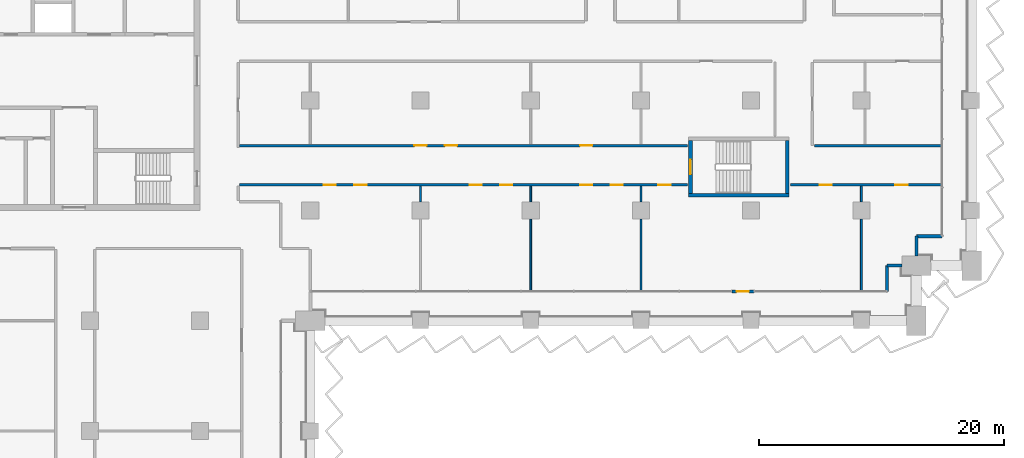
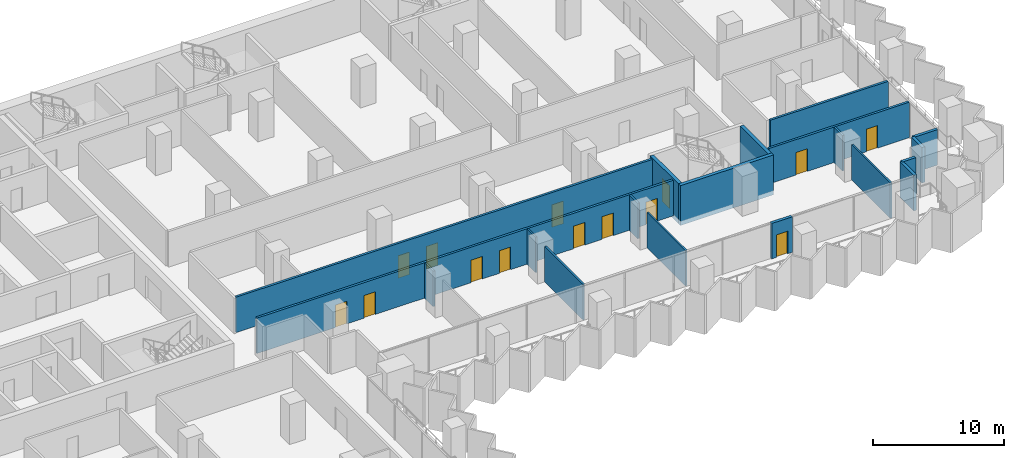
# One storey, part 13 of 28: 19 walls, 14 doors, 14 openings.
"""IFC4 building model written with IfcOpenShell, lengths in metres."""

import ifcopenshell
import ifcopenshell.guid

model = None  # the IFC model being written
_history = None  # IfcOwnerHistory: only IFC2X3 demands one
_inside = {}  # id of a spatial element -> (the spatial element, [elements in it])
_under = {}  # id of a project, library or spatial element -> (it, [spatial elements below it])
_declared = {}  # id of a project -> (the project, [libraries it declares])
_typed = {}  # id of a type object -> (the type object, [elements of that type])
_made_of = {}  # id of a material, layer set ... -> (it, [elements and type objects made of it])


def new_model(schema):
    """Start an empty IFC model of exactly this schema.

    Asked for "IFC4X3", IfcOpenShell would pick the latest addendum, in which some entities
    have other attributes; the version numbers below select the first issue.
    IFC2X3 requires an IfcOwnerHistory on every rooted entity: one is made here for all.
    """
    global model, _history
    if schema == "IFC4X3":
        model = ifcopenshell.file(schema_version=(4, 3, 0, 0))
    else:
        model = ifcopenshell.file(schema=schema)
    _inside.clear()
    _under.clear()
    _declared.clear()
    _typed.clear()
    _made_of.clear()
    _history = None
    if model.schema == "IFC2X3":
        org = make("IfcOrganization", Name="unknown")
        user = make(
            "IfcPersonAndOrganization",
            ThePerson=make("IfcPerson", FamilyName="unknown"),
            TheOrganization=org,
        )
        app = make(
            "IfcApplication",
            ApplicationDeveloper=org,
            Version="unknown",
            ApplicationFullName="unknown",
            ApplicationIdentifier="unknown",
        )
        _history = make(
            "IfcOwnerHistory",
            OwningUser=user,
            OwningApplication=app,
            ChangeAction="ADDED",
            CreationDate=0,
        )
    return model


def make(cls, **values):
    """One entity of the class cls with the attributes given. An attribute that is None is left unset."""
    return model.create_entity(
        cls, **{name: value for name, value in values.items() if value is not None}
    )


def rooted(cls, **values):
    """An entity with a GlobalId (a new one), such as an element, a storey or a relation."""
    return make(cls, GlobalId=ifcopenshell.guid.new(), OwnerHistory=_history, **values)


def si_unit(unit_type, name, prefix=None):
    """IfcSIUnit, for example si_unit("LENGTHUNIT", "METRE", prefix="MILLI")."""
    return make("IfcSIUnit", UnitType=unit_type, Prefix=prefix, Name=name)


def assignment(units):
    """IfcUnitAssignment: the units of a project."""
    return None if units is None else make("IfcUnitAssignment", Units=units)


def point(xyz):
    """IfcCartesianPoint."""
    return None if xyz is None else make("IfcCartesianPoint", Coordinates=xyz)


def direction(xyz):
    """IfcDirection."""
    return None if xyz is None else make("IfcDirection", DirectionRatios=xyz)


def frame(location, z_axis=None, x_axis=None):
    """IfcAxis2Placement3D, a coordinate frame: its origin and axes. An axis left out is left unset."""
    return make(
        "IfcAxis2Placement3D",
        Location=point(location),
        Axis=direction(z_axis),
        RefDirection=direction(x_axis),
    )


def frame_2d(location, x_axis=None):
    """IfcAxis2Placement2D, a coordinate frame in the plane: its origin and x axis."""
    return make(
        "IfcAxis2Placement2D", Location=point(location), RefDirection=direction(x_axis)
    )


def origin():
    """The frame at (0, 0, 0) with its axes left unset."""
    return frame((0.0, 0.0, 0.0))


def place(relative_to, where):
    """IfcLocalPlacement: puts the frame where relative to a parent placement (None: the world)."""
    return make(
        "IfcLocalPlacement", PlacementRelTo=relative_to, RelativePlacement=where
    )


def context(
    kind, dimensions, precision=None, world=None, true_north=None, identifier=None
):
    """IfcGeometricRepresentationContext, for example the 3D "Model" context."""
    return make(
        "IfcGeometricRepresentationContext",
        ContextIdentifier=identifier,
        ContextType=kind,
        CoordinateSpaceDimension=dimensions,
        Precision=precision,
        WorldCoordinateSystem=world,
        TrueNorth=true_north,
    )


def subcontext(parent, identifier, kind, view, scale=None):
    """IfcGeometricRepresentationSubContext, for example "Body" below "Model"."""
    return make(
        "IfcGeometricRepresentationSubContext",
        ContextIdentifier=identifier,
        ContextType=kind,
        ParentContext=parent,
        TargetScale=scale,
        TargetView=view,
    )


def project(units=None, contexts=None):
    """IfcProject with its units and contexts."""
    return rooted(
        "IfcProject",
        Name="project",
        RepresentationContexts=contexts,
        UnitsInContext=assignment(units),
    )


def spatial(cls, under=None, at=None, **own):
    """A site, building, storey or space (cls), placed at a placement, below another one or the project."""
    s = rooted(cls, ObjectPlacement=at, **own)
    if under is not None:
        _under.setdefault(under.id(), (under, []))[1].append(s)
    return s


def profile(cls, at=None, kind="AREA", **sizes):
    """A parametric profile (cls). Its sizes go by their IFC names, for example OverallWidth=200.0."""
    return make(cls, ProfileType=kind, Position=at, **sizes)


def rectangle(**sizes):
    """IfcRectangleProfileDef."""
    return profile("IfcRectangleProfileDef", **sizes)


def extrude(swept, where, along, depth):
    """IfcExtrudedAreaSolid: the profile swept, set in the frame where, extruded along a direction by depth."""
    return make(
        "IfcExtrudedAreaSolid",
        SweptArea=swept,
        Position=where,
        ExtrudedDirection=direction(along),
        Depth=depth,
    )


def shape(context_of_items, identifier, shape_type, items):
    """IfcShapeRepresentation: the items that make up one representation, for example the "Body"."""
    return make(
        "IfcShapeRepresentation",
        ContextOfItems=context_of_items,
        RepresentationIdentifier=identifier,
        RepresentationType=shape_type,
        Items=items,
    )


def material(Name=None, Category=None):
    """IfcMaterial."""
    return make("IfcMaterial", Name=Name, Category=Category)


def layer(
    of_material, thickness, ventilated=None, Name=None, Category=None, Priority=None
):
    """IfcMaterialLayer: one layer of a wall or slab, of a material (None: an air gap)."""
    return make(
        "IfcMaterialLayer",
        Material=of_material,
        LayerThickness=thickness,
        IsVentilated=ventilated,
        Name=Name,
        Category=Category,
        Priority=Priority,
    )


def layer_set(layers, Name=None):
    """IfcMaterialLayerSet."""
    return make("IfcMaterialLayerSet", MaterialLayers=layers, LayerSetName=Name)


def made_of(thing, what):
    """Note that an element or type object is made of a material, layer set ...; save() writes the relation."""
    if what is not None:
        _made_of.setdefault(what.id(), (what, []))[1].append(thing)
    return thing


def type_object(cls, material=None, **own):
    """A type object (cls), such as IfcWallType, which elements share."""
    return made_of(rooted(cls, **own), material)


def element(
    cls,
    number,
    at=None,
    inside=None,
    cuts=None,
    type_object=None,
    material=None,
    context=None,
    identifier="Body",
    shape_type=None,
    held_by="IfcProductDefinitionShape",
    body=None,
    shapes=None,
    **own,
):
    """One element of the class cls, such as IfcWall. Its Tag is "e" and its number.

    at: its placement. inside: the storey or other place that contains it. cuts: it is an
    opening in that element (IfcRelVoidsElement). A single representation is given by context,
    identifier, shape_type and body (its items); several are given by shapes. held_by: the class
    of the entity that holds the representations. save() writes the other relations.
    """
    e = rooted(cls, Tag="e%d" % number, ObjectPlacement=at, **own)
    if body is not None:
        shapes = [shape(context, identifier, shape_type, body)]
    if shapes is not None:
        e.Representation = make(held_by, Representations=shapes)
    if inside is not None:
        _inside.setdefault(inside.id(), (inside, []))[1].append(e)
    if cuts is not None:
        rooted(
            "IfcRelVoidsElement", RelatingBuildingElement=cuts, RelatedOpeningElement=e
        )
    if type_object is not None:
        _typed.setdefault(type_object.id(), (type_object, []))[1].append(e)
    return made_of(e, material)


def fill(opening, filler):
    """IfcRelFillsElement: the door or window that sits in an opening."""
    return rooted(
        "IfcRelFillsElement",
        RelatingOpeningElement=opening,
        RelatedBuildingElement=filler,
    )


def aggregate(whole, parts):
    """IfcRelAggregates: a whole, such as a stair, and the parts it consists of."""
    return rooted("IfcRelAggregates", RelatingObject=whole, RelatedObjects=parts)


def save(model, path):
    """Write the relations noted so far, then the file.

    IfcRelAggregates (storeys below a building ...), IfcRelContainedInSpatialStructure (elements
    in a storey), IfcRelDefinesByType, IfcRelAssociatesMaterial and IfcRelDeclares: one each for
    every whole, place, type object, material and project.
    """
    for whole, parts in _under.values():
        aggregate(whole, parts)
    for where, things in _inside.values():
        rooted(
            "IfcRelContainedInSpatialStructure",
            RelatedElements=things,
            RelatingStructure=where,
        )
    for kind, things in _typed.values():
        rooted("IfcRelDefinesByType", RelatedObjects=things, RelatingType=kind)
    for what, things in _made_of.values():
        rooted("IfcRelAssociatesMaterial", RelatedObjects=things, RelatingMaterial=what)
    for by, libraries in _declared.values():
        rooted("IfcRelDeclares", RelatingContext=by, RelatedDefinitions=libraries)
    model.write(path)


model = new_model("IFC4")

# Units and contexts
model_context = context("Model", 3, precision=1e-05, world=origin(), true_north=direction((0.0, 1.0)))
body_context = subcontext(model_context, "Body", "Model", "MODEL_VIEW")
ifc_project = project(units=[si_unit("LENGTHUNIT", "METRE"), si_unit("AREAUNIT", "SQUARE_METRE"), si_unit("VOLUMEUNIT", "CUBIC_METRE"), si_unit("PLANEANGLEUNIT", "RADIAN"), si_unit("MASSUNIT", "GRAM", prefix="KILO")], contexts=[model_context])

# Site, building, storey
site_placement = place(None, origin())
site = spatial("IfcSite", under=ifc_project, at=site_placement, CompositionType="ELEMENT")
building_placement = place(site_placement, origin())
building = spatial("IfcBuilding", under=site, at=building_placement, Name="Hunhe Ridgeline Campus", CompositionType="ELEMENT")
storey_placement = place(building_placement, frame((0.0, 0.0, 72.800048828125)))
storey = spatial("IfcBuildingStorey", under=building, at=storey_placement, Name="L17", CompositionType="ELEMENT", Elevation=72.800048828125)

# Walls
ifc_material_1 = material(Name="Concrete C30", Category="concrete")
ifc_layer_1 = layer(ifc_material_1, 0.25)
ifc_layer_set_1 = layer_set([ifc_layer_1], Name="Corner return wall 250 Concrete C30")
wall_type_1 = type_object("IfcWallType", Name="Corner return wall 250 Concrete C30", PredefinedType="SOLIDWALL", material=ifc_layer_set_1)
wall_1_placement = place(storey_placement, frame((92.09912109375, 56.40087890625, 0.0), z_axis=(0.0, 0.0, 1.0), x_axis=(0.00011626555, 0.999999993241, 0.0)))
element("IfcWall", 1, at=wall_1_placement, inside=storey, type_object=wall_type_1, Name="Corner return wall 4", PredefinedType="SOLIDWALL", context=body_context, shape_type="SweptSolid", body=[
    extrude(rectangle(XDim=2.099853515625, YDim=0.25, at=frame_2d((1.0498046875, 0.0))), origin(), (0.0, 0.0, 1.0), 3.300048828125),
])
wall_2_placement = place(storey_placement, frame((92.099365234375, 58.500732421875, 0.0), z_axis=(0.0, 0.0, 1.0), x_axis=(1.0, 0.0, 0.0)))
element("IfcWall", 2, at=wall_2_placement, inside=storey, type_object=wall_type_1, Name="Corner return wall 5", PredefinedType="SOLIDWALL", context=body_context, shape_type="SweptSolid", body=[
    extrude(rectangle(XDim=1.20068359375, YDim=0.25, at=frame_2d((0.600341796875, 0.0))), origin(), (0.0, 0.0, 1.0), 3.300048828125),
])
wall_3_placement = place(storey_placement, frame((94.4990234375, 59.300048828125, 0.0), z_axis=(0.0, 0.0, 1.0), x_axis=(0.00015253203, 0.999999988367, 0.0)))
element("IfcWall", 3, at=wall_3_placement, inside=storey, type_object=wall_type_1, Name="Corner return wall 6", PredefinedType="SOLIDWALL", context=body_context, shape_type="SweptSolid", body=[
    extrude(rectangle(XDim=1.6005859375, YDim=0.25, at=frame_2d((0.80029296875, 0.0))), origin(), (0.0, 0.0, 1.0), 3.300048828125),
])
wall_4_placement = place(storey_placement, frame((94.499267578125, 60.900634765625, 0.0), z_axis=(0.0, 0.0, 1.0), x_axis=(0.999999993241, 0.00011626555, 0.0)))
element("IfcWall", 4, at=wall_4_placement, inside=storey, type_object=wall_type_1, Name="Corner return wall 7", PredefinedType="SOLIDWALL", context=body_context, shape_type="SweptSolid", body=[
    extrude(rectangle(XDim=2.099853515625, YDim=0.25, at=frame_2d((1.0498046875, 0.0))), origin(), (0.0, 0.0, 1.0), 3.300048828125),
])

# Wall, openings, doors
ifc_material_2 = material(Name="Gypsum board partition")
ifc_layer_2 = layer(ifc_material_2, 0.199951171875)
ifc_layer_set_2 = layer_set([ifc_layer_2], Name="Corridor partition 200 gypsum board on steel studs")
wall_type_2 = type_object("IfcWallType", Name="Corridor partition 200 gypsum board on steel studs", PredefinedType="PARTITIONING", material=ifc_layer_set_2)
wall_5_placement = place(storey_placement, frame((75.7958984375, 65.10009765625, 0.0), z_axis=(0.0, 0.0, 1.0), x_axis=(-1.0, 0.0, 0.0)))
wall_5 = element("IfcWall", 5, at=wall_5_placement, inside=storey, type_object=wall_type_2, Name="F-L17-wall-033", PredefinedType="PARTITIONING", context=body_context, shape_type="SweptSolid", body=[
    extrude(rectangle(XDim=36.595947265625, YDim=0.199951171875, at=frame_2d((18.2978515625, 0.0))), origin(), (0.0, 0.0, 1.0), 3.300048828125),
])
opening_1_placement = place(wall_5_placement, frame((28.70166015625, 0.0, 0.0)))
opening_1 = element("IfcOpeningElement", 6, at=opening_1_placement, cuts=wall_5, Name="Opening RD1-020", PredefinedType="OPENING", context=body_context, shape_type="SweptSolid", body=[
    extrude(rectangle(XDim=1.0, YDim=2.10009765625, at=frame_2d((0.5, 1.050048828125))), frame((0.0, 0.10009765625, 0.0), z_axis=(0.0, -1.0, 0.0), x_axis=(1.0, 0.0, 0.0)), (0.0, 0.0, 1.0), 0.199951171875),
])
opening_2_placement = place(wall_5_placement, frame((26.20166015625, 0.0, 0.0)))
opening_2 = element("IfcOpeningElement", 7, at=opening_2_placement, cuts=wall_5, Name="Opening RD1-021", PredefinedType="OPENING", context=body_context, shape_type="SweptSolid", body=[
    extrude(rectangle(XDim=1.0, YDim=2.10009765625, at=frame_2d((0.5, 1.050048828125))), frame((0.0, 0.10009765625, 0.0), z_axis=(0.0, -1.0, 0.0), x_axis=(1.0, 0.0, 0.0)), (0.0, 0.0, 1.0), 0.199951171875),
])
opening_3_placement = place(wall_5_placement, frame((16.79541015625, 0.0, 0.0)))
opening_3 = element("IfcOpeningElement", 8, at=opening_3_placement, cuts=wall_5, Name="Opening RD1-022", PredefinedType="OPENING", context=body_context, shape_type="SweptSolid", body=[
    extrude(rectangle(XDim=1.0, YDim=2.10009765625, at=frame_2d((0.5, 1.050048828125))), frame((0.0, 0.10009765625, 0.0), z_axis=(0.0, -1.0, 0.0), x_axis=(1.0, 0.0, 0.0)), (0.0, 0.0, 1.0), 0.199951171875),
])
opening_4_placement = place(wall_5_placement, frame((14.29541015625, 0.0, 0.0)))
opening_4 = element("IfcOpeningElement", 9, at=opening_4_placement, cuts=wall_5, Name="Opening RD1-023", PredefinedType="OPENING", context=body_context, shape_type="SweptSolid", body=[
    extrude(rectangle(XDim=1.0, YDim=2.10009765625, at=frame_2d((0.5, 1.050048828125))), frame((0.0, 0.10009765625, 0.0), z_axis=(0.0, -1.0, 0.0), x_axis=(1.0, 0.0, 0.0)), (0.0, 0.0, 1.0), 0.199951171875),
])
opening_5_placement = place(wall_5_placement, frame((7.771728515625, 0.0, 0.0)))
opening_5 = element("IfcOpeningElement", 10, at=opening_5_placement, cuts=wall_5, Name="Opening RD1-024", PredefinedType="OPENING", context=body_context, shape_type="SweptSolid", body=[
    extrude(rectangle(XDim=1.0, YDim=2.10009765625, at=frame_2d((0.5, 1.050048828125))), frame((0.0, 0.10009765625, 0.0), z_axis=(0.0, -1.0, 0.0), x_axis=(1.0, 0.0, 0.0)), (0.0, 0.0, 1.0), 0.199951171875),
])
opening_6_placement = place(wall_5_placement, frame((5.271728515625, 0.0, 0.0)))
opening_6 = element("IfcOpeningElement", 11, at=opening_6_placement, cuts=wall_5, Name="Opening RD1-025", PredefinedType="OPENING", context=body_context, shape_type="SweptSolid", body=[
    extrude(rectangle(XDim=1.0, YDim=2.10009765625, at=frame_2d((0.5, 1.050048828125))), frame((0.0, 0.10009765625, 0.0), z_axis=(0.0, -1.0, 0.0), x_axis=(1.0, 0.0, 0.0)), (0.0, 0.0, 1.0), 0.199951171875),
])
opening_7_placement = place(wall_5_placement, frame((1.3798828125, 0.0, 0.0)))
opening_7 = element("IfcOpeningElement", 12, at=opening_7_placement, cuts=wall_5, Name="Opening RD1-026", PredefinedType="OPENING", context=body_context, shape_type="SweptSolid", body=[
    extrude(rectangle(XDim=1.0, YDim=2.10009765625, at=frame_2d((0.5, 1.050048828125))), frame((0.0, 0.10009765625, 0.0), z_axis=(0.0, -1.0, 0.0), x_axis=(1.0, 0.0, 0.0)), (0.0, 0.0, 1.0), 0.199951171875),
])
ifc_material_3 = material(Name="Timber door leaf", Category="wood")
door_type_1 = type_object("IfcDoorType", Name="Single fire door 1000x2100 timber FD60", OperationType="NOTDEFINED", PredefinedType="DOOR", material=ifc_material_3)
door_1_placement = place(opening_1_placement, frame((1.0, 0.0, 0.0), z_axis=(0.0, 0.0, 1.0), x_axis=(-1.0, 0.0, 0.0)))
door_1 = element("IfcDoor", 13, at=door_1_placement, inside=storey, type_object=door_type_1, Name="F-L17-door-020", OperationType="SINGLE_SWING_RIGHT", OverallHeight=2.10009765625, OverallWidth=1.0, PredefinedType="DOOR", context=body_context, shape_type="SweptSolid", body=[
    extrude(rectangle(XDim=1.0, YDim=2.10009765625, at=frame_2d((0.5, 1.050048828125))), frame((0.0, 0.02490234375, 0.0), z_axis=(0.0, -1.0, 0.0), x_axis=(1.0, 0.0, 0.0)), (0.0, 0.0, 1.0), 0.050048828125),
])
fill(opening_1, door_1)
door_2_placement = place(opening_2_placement, frame((1.0, 0.0, 0.0), z_axis=(0.0, 0.0, 1.0), x_axis=(-1.0, 0.0, 0.0)))
door_2 = element("IfcDoor", 14, at=door_2_placement, inside=storey, type_object=door_type_1, Name="F-L17-door-021", OperationType="SINGLE_SWING_RIGHT", OverallHeight=2.10009765625, OverallWidth=1.0, PredefinedType="DOOR", context=body_context, shape_type="SweptSolid", body=[
    extrude(rectangle(XDim=1.0, YDim=2.10009765625, at=frame_2d((0.5, 1.050048828125))), frame((0.0, 0.02490234375, 0.0), z_axis=(0.0, -1.0, 0.0), x_axis=(1.0, 0.0, 0.0)), (0.0, 0.0, 1.0), 0.050048828125),
])
fill(opening_2, door_2)
door_3_placement = place(opening_3_placement, frame((1.0, 0.0, 0.0), z_axis=(0.0, 0.0, 1.0), x_axis=(-1.0, 0.0, 0.0)))
door_3 = element("IfcDoor", 15, at=door_3_placement, inside=storey, type_object=door_type_1, Name="F-L17-door-022", OperationType="SINGLE_SWING_RIGHT", OverallHeight=2.10009765625, OverallWidth=1.0, PredefinedType="DOOR", context=body_context, shape_type="SweptSolid", body=[
    extrude(rectangle(XDim=1.0, YDim=2.10009765625, at=frame_2d((0.5, 1.050048828125))), frame((0.0, 0.02490234375, 0.0), z_axis=(0.0, -1.0, 0.0), x_axis=(1.0, 0.0, 0.0)), (0.0, 0.0, 1.0), 0.050048828125),
])
fill(opening_3, door_3)
door_4_placement = place(opening_4_placement, frame((1.0, 0.0, 0.0), z_axis=(0.0, 0.0, 1.0), x_axis=(-1.0, 0.0, 0.0)))
door_4 = element("IfcDoor", 16, at=door_4_placement, inside=storey, type_object=door_type_1, Name="F-L17-door-023", OperationType="SINGLE_SWING_RIGHT", OverallHeight=2.10009765625, OverallWidth=1.0, PredefinedType="DOOR", context=body_context, shape_type="SweptSolid", body=[
    extrude(rectangle(XDim=1.0, YDim=2.10009765625, at=frame_2d((0.5, 1.050048828125))), frame((0.0, 0.02490234375, 0.0), z_axis=(0.0, -1.0, 0.0), x_axis=(1.0, 0.0, 0.0)), (0.0, 0.0, 1.0), 0.050048828125),
])
fill(opening_4, door_4)
door_5_placement = place(opening_5_placement, frame((1.0, 0.0, 0.0), z_axis=(0.0, 0.0, 1.0), x_axis=(-1.0, 0.0, 0.0)))
door_5 = element("IfcDoor", 17, at=door_5_placement, inside=storey, type_object=door_type_1, Name="F-L17-door-024", OperationType="SINGLE_SWING_RIGHT", OverallHeight=2.10009765625, OverallWidth=1.0, PredefinedType="DOOR", context=body_context, shape_type="SweptSolid", body=[
    extrude(rectangle(XDim=1.0, YDim=2.10009765625, at=frame_2d((0.5, 1.050048828125))), frame((0.0, 0.02490234375, 0.0), z_axis=(0.0, -1.0, 0.0), x_axis=(1.0, 0.0, 0.0)), (0.0, 0.0, 1.0), 0.050048828125),
])
fill(opening_5, door_5)
door_6_placement = place(opening_6_placement, frame((1.0, 0.0, 0.0), z_axis=(0.0, 0.0, 1.0), x_axis=(-1.0, 0.0, 0.0)))
door_6 = element("IfcDoor", 18, at=door_6_placement, inside=storey, type_object=door_type_1, Name="F-L17-door-025", OperationType="SINGLE_SWING_RIGHT", OverallHeight=2.10009765625, OverallWidth=1.0, PredefinedType="DOOR", context=body_context, shape_type="SweptSolid", body=[
    extrude(rectangle(XDim=1.0, YDim=2.10009765625, at=frame_2d((0.5, 1.050048828125))), frame((0.0, 0.02490234375, 0.0), z_axis=(0.0, -1.0, 0.0), x_axis=(1.0, 0.0, 0.0)), (0.0, 0.0, 1.0), 0.050048828125),
])
fill(opening_6, door_6)
door_7_placement = place(opening_7_placement, frame((1.0, 0.0, 0.0), z_axis=(0.0, 0.0, 1.0), x_axis=(-1.0, 0.0, 0.0)))
door_7 = element("IfcDoor", 19, at=door_7_placement, inside=storey, type_object=door_type_1, Name="F-L17-door-026", OperationType="SINGLE_SWING_RIGHT", OverallHeight=2.10009765625, OverallWidth=1.0, PredefinedType="DOOR", context=body_context, shape_type="SweptSolid", body=[
    extrude(rectangle(XDim=1.0, YDim=2.10009765625, at=frame_2d((0.5, 1.050048828125))), frame((0.0, 0.02490234375, 0.0), z_axis=(0.0, -1.0, 0.0), x_axis=(1.0, 0.0, 0.0)), (0.0, 0.0, 1.0), 0.050048828125),
])
fill(opening_7, door_7)

wall_6_placement = place(storey_placement, frame((96.544921875, 65.10009765625, 0.0), z_axis=(0.0, 0.0, 1.0), x_axis=(-1.0, 0.0, 0.0)))
wall_6 = element("IfcWall", 20, at=wall_6_placement, inside=storey, type_object=wall_type_2, Name="F-L17-wall-034", PredefinedType="PARTITIONING", context=body_context, shape_type="SweptSolid", body=[
    extrude(rectangle(XDim=12.3408203125, YDim=0.199951171875, at=frame_2d((6.17041015625, 0.0))), origin(), (0.0, 0.0, 1.0), 3.300048828125),
])
opening_8_placement = place(wall_6_placement, frame((8.944580078125, 0.0, 0.0)))
opening_8 = element("IfcOpeningElement", 21, at=opening_8_placement, cuts=wall_6, Name="Opening RD1-027", PredefinedType="OPENING", context=body_context, shape_type="SweptSolid", body=[
    extrude(rectangle(XDim=1.0, YDim=2.10009765625, at=frame_2d((0.5, 1.050048828125))), frame((0.0, 0.10009765625, 0.0), z_axis=(0.0, -1.0, 0.0), x_axis=(1.0, 0.0, 0.0)), (0.0, 0.0, 1.0), 0.199951171875),
])
opening_9_placement = place(wall_6_placement, frame((2.774169921875, 0.0, 0.0)))
opening_9 = element("IfcOpeningElement", 22, at=opening_9_placement, cuts=wall_6, Name="Opening RD1-028", PredefinedType="OPENING", context=body_context, shape_type="SweptSolid", body=[
    extrude(rectangle(XDim=1.0, YDim=2.10009765625, at=frame_2d((0.5, 1.050048828125))), frame((0.0, 0.10009765625, 0.0), z_axis=(0.0, -1.0, 0.0), x_axis=(1.0, 0.0, 0.0)), (0.0, 0.0, 1.0), 0.199951171875),
])
door_8_placement = place(opening_8_placement, frame((1.0, 0.0, 0.0), z_axis=(0.0, 0.0, 1.0), x_axis=(-1.0, 0.0, 0.0)))
door_8 = element("IfcDoor", 23, at=door_8_placement, inside=storey, type_object=door_type_1, Name="F-L17-door-027", OperationType="SINGLE_SWING_RIGHT", OverallHeight=2.10009765625, OverallWidth=1.0, PredefinedType="DOOR", context=body_context, shape_type="SweptSolid", body=[
    extrude(rectangle(XDim=1.0, YDim=2.10009765625, at=frame_2d((0.5, 1.050048828125))), frame((0.0, 0.02490234375, 0.0), z_axis=(0.0, -1.0, 0.0), x_axis=(1.0, 0.0, 0.0)), (0.0, 0.0, 1.0), 0.050048828125),
])
fill(opening_8, door_8)
door_9_placement = place(opening_9_placement, origin())
door_9 = element("IfcDoor", 24, at=door_9_placement, inside=storey, type_object=door_type_1, Name="F-L17-door-028", OperationType="SINGLE_SWING_RIGHT", OverallHeight=2.10009765625, OverallWidth=1.0, PredefinedType="DOOR", context=body_context, shape_type="SweptSolid", body=[
    extrude(rectangle(XDim=1.0, YDim=2.10009765625, at=frame_2d((0.5, 1.050048828125))), frame((0.0, 0.02490234375, 0.0), z_axis=(0.0, -1.0, 0.0), x_axis=(1.0, 0.0, 0.0)), (0.0, 0.0, 1.0), 0.050048828125),
])
fill(opening_9, door_9)

wall_7_placement = place(storey_placement, frame((39.199951171875, 68.300048828125, 0.0), z_axis=(0.0, 0.0, 1.0), x_axis=(1.0, 0.0, 0.0)))
wall_7 = element("IfcWall", 25, at=wall_7_placement, inside=storey, type_object=wall_type_2, Name="F-L17-wall-035", PredefinedType="PARTITIONING", context=body_context, shape_type="SweptSolid", body=[
    extrude(rectangle(XDim=36.595947265625, YDim=0.199951171875, at=frame_2d((18.2978515625, 0.0))), origin(), (0.0, 0.0, 1.0), 3.300048828125),
])
opening_10_placement = place(wall_7_placement, frame((14.288818359375, 0.0, 0.0)))
opening_10 = element("IfcOpeningElement", 26, at=opening_10_placement, cuts=wall_7, Name="Opening RD1-029", PredefinedType="OPENING", context=body_context, shape_type="SweptSolid", body=[
    extrude(rectangle(XDim=1.0, YDim=2.10009765625, at=frame_2d((0.5, 1.050048828125))), frame((0.0, 0.10009765625, 0.0), z_axis=(0.0, -1.0, 0.0), x_axis=(1.0, 0.0, 0.0)), (0.0, 0.0, 1.0), 0.199951171875),
])
opening_11_placement = place(wall_7_placement, frame((16.788818359375, 0.0, 0.0)))
opening_11 = element("IfcOpeningElement", 27, at=opening_11_placement, cuts=wall_7, Name="Opening RD1-030", PredefinedType="OPENING", context=body_context, shape_type="SweptSolid", body=[
    extrude(rectangle(XDim=1.0, YDim=2.10009765625, at=frame_2d((0.5, 1.050048828125))), frame((0.0, 0.10009765625, 0.0), z_axis=(0.0, -1.0, 0.0), x_axis=(1.0, 0.0, 0.0)), (0.0, 0.0, 1.0), 0.199951171875),
])
opening_12_placement = place(wall_7_placement, frame((27.82421875, 0.0, 0.0)))
opening_12 = element("IfcOpeningElement", 28, at=opening_12_placement, cuts=wall_7, Name="Opening RD1-031", PredefinedType="OPENING", context=body_context, shape_type="SweptSolid", body=[
    extrude(rectangle(XDim=1.0, YDim=2.10009765625, at=frame_2d((0.5, 1.050048828125))), frame((0.0, 0.10009765625, 0.0), z_axis=(0.0, -1.0, 0.0), x_axis=(1.0, 0.0, 0.0)), (0.0, 0.0, 1.0), 0.199951171875),
])
door_10_placement = place(opening_10_placement, frame((1.0, 0.0, 0.0), z_axis=(0.0, 0.0, 1.0), x_axis=(-1.0, 0.0, 0.0)))
door_10 = element("IfcDoor", 29, at=door_10_placement, inside=storey, type_object=door_type_1, Name="F-L17-door-029", OperationType="SINGLE_SWING_LEFT", OverallHeight=2.10009765625, OverallWidth=1.0, PredefinedType="DOOR", context=body_context, shape_type="SweptSolid", body=[
    extrude(rectangle(XDim=1.0, YDim=2.10009765625, at=frame_2d((0.5, 1.050048828125))), frame((0.0, 0.02490234375, 0.0), z_axis=(0.0, -1.0, 0.0), x_axis=(1.0, 0.0, 0.0)), (0.0, 0.0, 1.0), 0.050048828125),
])
fill(opening_10, door_10)
door_11_placement = place(opening_11_placement, frame((1.0, 0.0, 0.0), z_axis=(0.0, 0.0, 1.0), x_axis=(-1.0, 0.0, 0.0)))
door_11 = element("IfcDoor", 30, at=door_11_placement, inside=storey, type_object=door_type_1, Name="F-L17-door-030", OperationType="SINGLE_SWING_LEFT", OverallHeight=2.10009765625, OverallWidth=1.0, PredefinedType="DOOR", context=body_context, shape_type="SweptSolid", body=[
    extrude(rectangle(XDim=1.0, YDim=2.10009765625, at=frame_2d((0.5, 1.050048828125))), frame((0.0, 0.02490234375, 0.0), z_axis=(0.0, -1.0, 0.0), x_axis=(1.0, 0.0, 0.0)), (0.0, 0.0, 1.0), 0.050048828125),
])
fill(opening_11, door_11)
door_12_placement = place(opening_12_placement, origin())
door_12 = element("IfcDoor", 31, at=door_12_placement, inside=storey, type_object=door_type_1, Name="F-L17-door-031", OperationType="SINGLE_SWING_RIGHT", OverallHeight=2.10009765625, OverallWidth=1.0, PredefinedType="DOOR", context=body_context, shape_type="SweptSolid", body=[
    extrude(rectangle(XDim=1.0, YDim=2.10009765625, at=frame_2d((0.5, 1.050048828125))), frame((0.0, 0.02490234375, 0.0), z_axis=(0.0, -1.0, 0.0), x_axis=(1.0, 0.0, 0.0)), (0.0, 0.0, 1.0), 0.050048828125),
])
fill(opening_12, door_12)

# Wall
wall_8_placement = place(storey_placement, frame((86.178466796875, 68.300048828125, 0.0), z_axis=(0.0, 0.0, 1.0), x_axis=(1.0, 0.0, 0.0)))
element("IfcWall", 32, at=wall_8_placement, inside=storey, type_object=wall_type_2, Name="F-L17-wall-036", PredefinedType="PARTITIONING", context=body_context, shape_type="SweptSolid", body=[
    extrude(rectangle(XDim=10.366455078125, YDim=0.199951171875, at=frame_2d((5.18310546875, 0.0))), origin(), (0.0, 0.0, 1.0), 3.300048828125),
])

# Wall, opening, door
ifc_layer_3 = layer(ifc_material_1, 0.25)
ifc_layer_set_3 = layer_set([ifc_layer_3], Name="Loggia door pier wall 250 Concrete C30")
wall_type_3 = type_object("IfcWallType", Name="Loggia door pier wall 250 Concrete C30", PredefinedType="SOLIDWALL", material=ifc_layer_set_3)
wall_9_placement = place(storey_placement, frame((79.424072265625, 56.40087890625, 0.0), z_axis=(0.0, 0.0, 1.0), x_axis=(1.0, 0.0, 0.0)))
wall_9 = element("IfcWall", 33, at=wall_9_placement, inside=storey, type_object=wall_type_3, Name="Loggia door pier 4", PredefinedType="SOLIDWALL", context=body_context, shape_type="SweptSolid", body=[
    extrude(rectangle(XDim=1.800048828125, YDim=0.25, at=frame_2d((0.89990234375, 0.0))), origin(), (0.0, 0.0, 1.0), 3.300048828125),
])
opening_13_placement = place(wall_9_placement, frame((0.39990234375, 0.0, 0.0)))
opening_13 = element("IfcOpeningElement", 34, at=opening_13_placement, cuts=wall_9, Name="Opening BD107", PredefinedType="OPENING", context=body_context, shape_type="SweptSolid", body=[
    extrude(rectangle(XDim=1.0, YDim=2.10009765625, at=frame_2d((0.5, 1.050048828125))), frame((0.0, 0.125, 0.0), z_axis=(0.0, -1.0, 0.0), x_axis=(1.0, 0.0, 0.0)), (0.0, 0.0, 1.0), 0.25),
])
ifc_material_4 = material(Name="Aluminium 6063", Category="aluminium")
door_type_2 = type_object("IfcDoorType", Name="Loggia glazed door 1000x2100", OperationType="NOTDEFINED", PredefinedType="DOOR", material=ifc_material_4)
door_13_placement = place(opening_13_placement, frame((1.0, 0.0, 0.0), z_axis=(0.0, 0.0, 1.0), x_axis=(-1.0, 0.0, 0.0)))
door_13 = element("IfcDoor", 35, at=door_13_placement, inside=storey, type_object=door_type_2, Name="Loggia door BD107", OperationType="SINGLE_SWING_RIGHT", OverallHeight=2.10009765625, OverallWidth=1.0, PredefinedType="DOOR", context=body_context, shape_type="SweptSolid", body=[
    extrude(rectangle(XDim=1.0, YDim=2.10009765625, at=frame_2d((0.5, 1.050048828125))), frame((0.0, 0.02490234375, 0.0), z_axis=(0.0, -1.0, 0.0), x_axis=(1.0, 0.0, 0.0)), (0.0, 0.0, 1.0), 0.050048828125),
])
fill(opening_13, door_13)

# Walls
ifc_layer_4 = layer(ifc_material_2, 0.14990234375)
ifc_layer_set_4 = layer_set([ifc_layer_4], Name="Room partition 150 gypsum board on steel studs")
wall_type_4 = type_object("IfcWallType", Name="Room partition 150 gypsum board on steel studs", PredefinedType="PARTITIONING", material=ifc_layer_set_4)
wall_10_placement = place(storey_placement, frame((54.0, 65.0, 0.0), z_axis=(0.0, 0.0, 1.0), x_axis=(0.0, -1.0, 0.0)))
element("IfcWall", 36, at=wall_10_placement, inside=storey, type_object=wall_type_4, Name="F-L17-wall-072", PredefinedType="PARTITIONING", context=body_context, shape_type="SweptSolid", body=[
    extrude(rectangle(XDim=1.300048828125, YDim=0.14990234375, at=frame_2d((0.64990234375, 0.0))), origin(), (0.0, 0.0, 1.0), 3.300048828125),
])
wall_11_placement = place(storey_placement, frame((63.0, 62.300048828125, 0.0), z_axis=(0.0, 0.0, 1.0), x_axis=(0.0, -1.0, 0.0)))
element("IfcWall", 37, at=wall_11_placement, inside=storey, type_object=wall_type_4, Name="F-L17-wall-074", PredefinedType="PARTITIONING", context=body_context, shape_type="SweptSolid", body=[
    extrude(rectangle(XDim=5.84521484375, YDim=0.14990234375, at=frame_2d((2.922607421875, 0.0))), origin(), (0.0, 0.0, 1.0), 3.300048828125),
])
wall_12_placement = place(storey_placement, frame((63.0, 65.0, 0.0), z_axis=(0.0, 0.0, 1.0), x_axis=(0.0, -1.0, 0.0)))
element("IfcWall", 38, at=wall_12_placement, inside=storey, type_object=wall_type_4, Name="F-L17-wall-075", PredefinedType="PARTITIONING", context=body_context, shape_type="SweptSolid", body=[
    extrude(rectangle(XDim=1.300048828125, YDim=0.14990234375, at=frame_2d((0.64990234375, 0.0))), origin(), (0.0, 0.0, 1.0), 3.300048828125),
])
wall_13_placement = place(storey_placement, frame((72.0, 62.300048828125, 0.0), z_axis=(0.0, 0.0, 1.0), x_axis=(0.0, -1.0, 0.0)))
element("IfcWall", 39, at=wall_13_placement, inside=storey, type_object=wall_type_4, Name="F-L17-wall-080", PredefinedType="PARTITIONING", context=body_context, shape_type="SweptSolid", body=[
    extrude(rectangle(XDim=5.84521484375, YDim=0.14990234375, at=frame_2d((2.922607421875, 0.0))), origin(), (0.0, 0.0, 1.0), 3.300048828125),
])
wall_14_placement = place(storey_placement, frame((72.0, 65.0, 0.0), z_axis=(0.0, 0.0, 1.0), x_axis=(0.0, -1.0, 0.0)))
element("IfcWall", 40, at=wall_14_placement, inside=storey, type_object=wall_type_4, Name="F-L17-wall-081", PredefinedType="PARTITIONING", context=body_context, shape_type="SweptSolid", body=[
    extrude(rectangle(XDim=1.300048828125, YDim=0.14990234375, at=frame_2d((0.64990234375, 0.0))), origin(), (0.0, 0.0, 1.0), 3.300048828125),
])
wall_15_placement = place(storey_placement, frame((90.0, 62.300048828125, 0.0), z_axis=(0.0, 0.0, 1.0), x_axis=(0.0, -1.0, 0.0)))
element("IfcWall", 41, at=wall_15_placement, inside=storey, type_object=wall_type_4, Name="F-L17-wall-089", PredefinedType="PARTITIONING", context=body_context, shape_type="SweptSolid", body=[
    extrude(rectangle(XDim=5.844970703125, YDim=0.14990234375, at=frame_2d((2.92236328125, 0.0))), origin(), (0.0, 0.0, 1.0), 3.300048828125),
])
wall_16_placement = place(storey_placement, frame((90.0, 65.0, 0.0), z_axis=(0.0, 0.0, 1.0), x_axis=(0.0, -1.0, 0.0)))
element("IfcWall", 42, at=wall_16_placement, inside=storey, type_object=wall_type_4, Name="F-L17-wall-090", PredefinedType="PARTITIONING", context=body_context, shape_type="SweptSolid", body=[
    extrude(rectangle(XDim=1.300048828125, YDim=0.14990234375, at=frame_2d((0.64990234375, 0.0))), origin(), (0.0, 0.0, 1.0), 3.300048828125),
])
ifc_material_5 = material(Name="Concrete C80", Category="concrete")
ifc_layer_5 = layer(ifc_material_5, 0.300048828125)
ifc_layer_set_5 = layer_set([ifc_layer_5], Name="Stair wall 300 reinforced concrete C80")
wall_type_5 = type_object("IfcWallType", Name="Stair wall 300 reinforced concrete C80", PredefinedType="SOLIDWALL", material=ifc_layer_set_5)
wall_17_placement = place(storey_placement, frame((75.89990234375, 64.25, -0.400146484375), z_axis=(0.0, 0.0, 1.0), x_axis=(1.0, 0.0, 0.0)))
element("IfcWall", 43, at=wall_17_placement, inside=storey, type_object=wall_type_5, Name="L17 core wall 8", PredefinedType="SOLIDWALL", context=body_context, shape_type="SweptSolid", body=[
    extrude(rectangle(XDim=8.2001953125, YDim=0.300048828125, at=frame_2d((4.10009765625, 0.0))), origin(), (0.0, 0.0, 1.0), 3.7001953125),
])

# Wall, opening, door
wall_18_placement = place(storey_placement, frame((76.050048828125, 64.39990234375, -0.400146484375), z_axis=(0.0, 0.0, 1.0), x_axis=(0.0, 1.0, 0.0)))
wall_18 = element("IfcWall", 44, at=wall_18_placement, inside=storey, type_object=wall_type_5, Name="L17 core wall 71", PredefinedType="SOLIDWALL", context=body_context, shape_type="SweptSolid", body=[
    extrude(rectangle(XDim=4.300048828125, YDim=0.300048828125, at=frame_2d((2.14990234375, 0.0))), origin(), (0.0, 0.0, 1.0), 3.7001953125),
])
opening_14_placement = place(wall_18_placement, frame((1.550048828125, 0.0, 0.39990234375)))
opening_14 = element("IfcOpeningElement", 45, at=opening_14_placement, cuts=wall_18, Name="Opening CD24", PredefinedType="OPENING", context=body_context, shape_type="SweptSolid", body=[
    extrude(rectangle(XDim=1.199951171875, YDim=2.10009765625, at=frame_2d((0.60009765625, 1.050048828125))), frame((0.0, 0.14990234375, 0.0), z_axis=(0.0, -1.0, 0.0), x_axis=(1.0, 0.0, 0.0)), (0.0, 0.0, 1.0), 0.300048828125),
])
ifc_material_6 = material(Name="Hollow metal fire door leaf")
door_type_3 = type_object("IfcDoorType", Name="Stair door 1200x2100 FD60", OperationType="SINGLE_SWING_LEFT", PredefinedType="DOOR", material=ifc_material_6)
door_14_placement = place(opening_14_placement, origin())
door_14 = element("IfcDoor", 46, at=door_14_placement, inside=storey, type_object=door_type_3, Name="L17 door E5", OperationType="SINGLE_SWING_RIGHT", OverallHeight=2.10009765625, OverallWidth=1.199951171875, PredefinedType="DOOR", context=body_context, shape_type="SweptSolid", body=[
    extrude(rectangle(XDim=1.199951171875, YDim=2.10009765625, at=frame_2d((0.60009765625, 1.050048828125))), frame((0.0, 0.02490234375, 0.0), z_axis=(0.0, -1.0, 0.0), x_axis=(1.0, 0.0, 0.0)), (0.0, 0.0, 1.0), 0.050048828125),
])
fill(opening_14, door_14)

# Wall
wall_19_placement = place(storey_placement, frame((83.949951171875, 64.39990234375, -0.400146484375), z_axis=(0.0, 0.0, 1.0), x_axis=(0.0, 1.0, 0.0)))
element("IfcWall", 47, at=wall_19_placement, inside=storey, type_object=wall_type_5, Name="L17 core wall 72", PredefinedType="SOLIDWALL", context=body_context, shape_type="SweptSolid", body=[
    extrude(rectangle(XDim=4.300048828125, YDim=0.300048828125, at=frame_2d((2.14990234375, 0.0))), origin(), (0.0, 0.0, 1.0), 3.7001953125),
])

save(model, "model.ifc")
